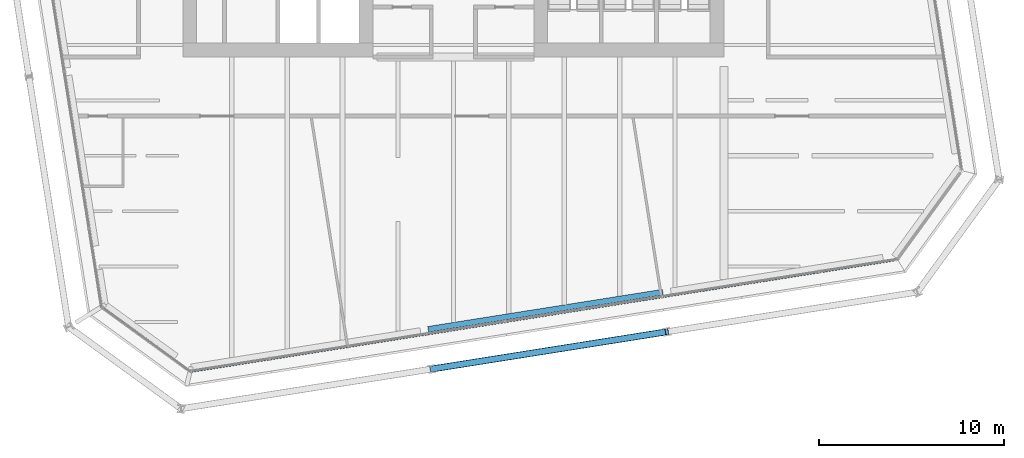
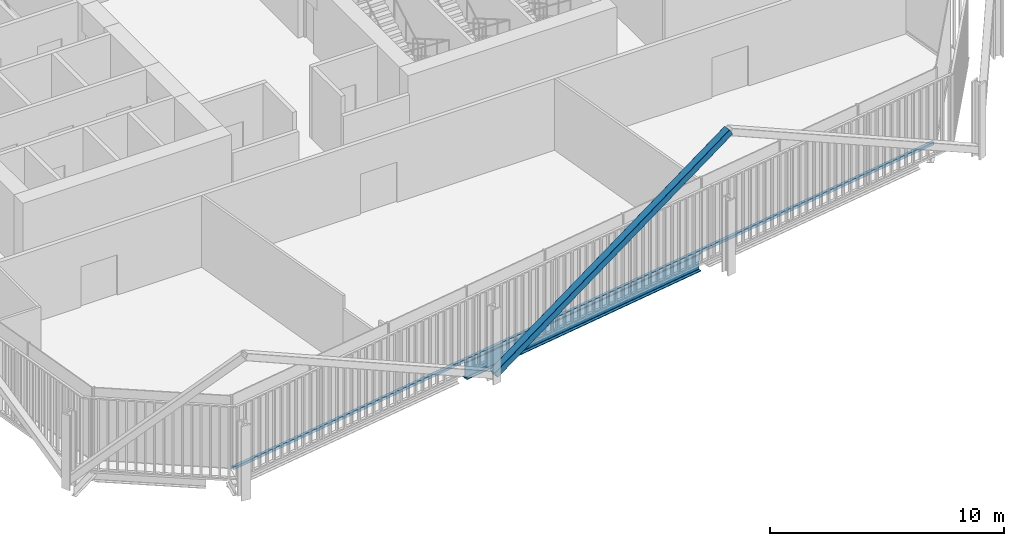
# One storey, part 5 of 19: 2 members, 1 beam, 1 element without a shape of its own.
"""IFC4 building model written with IfcOpenShell, lengths in metres."""

from ifc_helpers import new_model, si_unit, direction, frame, origin, origin_2d, place, context, subcontext, project, spatial, rectangle, hollow_rectangle, i_section, extrude, material, layer, layer_set, material_profile, profile_set, type_object, element, aggregate, save


model = new_model("IFC4")

# Units and contexts
model_context = context("Model", 3, precision=1e-05, world=origin(), true_north=direction((0.0, 1.0)))
body_context = subcontext(model_context, "Body", "Model", "MODEL_VIEW")
ifc_project = project(units=[si_unit("LENGTHUNIT", "METRE"), si_unit("AREAUNIT", "SQUARE_METRE"), si_unit("VOLUMEUNIT", "CUBIC_METRE"), si_unit("PLANEANGLEUNIT", "RADIAN"), si_unit("MASSUNIT", "GRAM", prefix="KILO")], contexts=[model_context])

# Site, building, storey
site_placement = place(None, origin())
site = spatial("IfcSite", under=ifc_project, at=site_placement, CompositionType="ELEMENT")
building_placement = place(site_placement, origin())
building = spatial("IfcBuilding", under=site, at=building_placement, Name="Millrace Tower", CompositionType="ELEMENT")
storey_placement = place(building_placement, frame((0.0, 0.0, 129.5)))
storey = spatial("IfcBuildingStorey", under=building, at=storey_placement, Name="L28", CompositionType="ELEMENT", Elevation=129.5)

# Curtain wall, member
ifc_material_1 = material(Name="Aluminium and glass", Category="aluminium")
ifc_layer = layer(ifc_material_1, 0.14990234375)
ifc_layer_set = layer_set([ifc_layer], Name="Aluminium and glass")
curtain_wall_type = type_object("IfcCurtainWallType", Name="CW-1 office vision curtain wall", PredefinedType="NOTDEFINED", material=ifc_layer_set)
curtain_wall_placement = place(storey_placement, origin())
curtain_wall = element("IfcCurtainWall", 1, at=curtain_wall_placement, inside=storey, type_object=curtain_wall_type, Name="Curtain wall C-F02 L28", PredefinedType="NOTDEFINED")
ifc_material_2 = material(Name="Aluminium", Category="aluminium")
ifc_material_profile_1 = material_profile(ifc_material_2, rectangle(XDim=0.14990234375, YDim=0.139892578125, at=origin_2d()))
ifc_profile_set_1 = profile_set([ifc_material_profile_1], Name="Aluminium")
member_type_1 = type_object("IfcMemberType", Name="CW-1 office vision curtain wall transom", PredefinedType="USERDEFINED", material=ifc_profile_set_1)
member_1_placement = place(storey_placement, frame((-14.125, -26.64599609375, 0.070068359375), z_axis=(0.987688350509, 0.156434402447, 0.0), x_axis=(-0.156434402447, 0.987688350509, 0.0)))
member_1 = element("IfcMember", 2, at=member_1_placement, type_object=member_type_1, Name="CW1 transom C-F02.1", ObjectType="TRANSOM", PredefinedType="USERDEFINED", context=body_context, shape_type="SweptSolid", body=[
    extrude(rectangle(XDim=0.14990234375, YDim=0.139892578125, at=origin_2d()), origin(), (0.0, 0.0, 1.0), 38.499755859375),
])
aggregate(curtain_wall, [member_1])

# Member
ifc_material_3 = material(Name="Steel ASTM A500 Grade C", Category="steel")
ifc_material_profile_2 = material_profile(ifc_material_3, hollow_rectangle(XDim=0.355712890625, YDim=0.355712890625, WallThickness=0.015869140625, InnerFilletRadius=0.008056640625, OuterFilletRadius=0.02392578125, at=origin_2d()))
ifc_profile_set_2 = profile_set([ifc_material_profile_2], Name="Steel ASTM A500 Grade C")
member_type_2 = type_object("IfcMemberType", Name="Exoskeleton brace HSS14x14x5/8", PredefinedType="BRACE", material=ifc_profile_set_2)
member_2_placement = place(storey_placement, frame((-1.181396484375, -26.545166015625, 0.39990234375), z_axis=(0.868109818913, 0.137501595477, 0.476947223022), x_axis=(-0.156441687909, 0.987687196578, 0.0)))
element("IfcMember", 3, at=member_2_placement, inside=storey, type_object=member_type_2, Name="BRC-C-L28-03", PredefinedType="BRACE", context=body_context, shape_type="SweptSolid", body=[
    extrude(hollow_rectangle(XDim=0.355712890625, YDim=0.355712890625, WallThickness=0.015869140625, InnerFilletRadius=0.008056640625, OuterFilletRadius=0.02392578125, at=origin_2d()), origin(), (0.0, 0.0, 1.0), 14.6767578125),
])

# Beam
ifc_material_4 = material(Name="Steel ASTM A992 Grade 50", Category="steel")
ifc_material_profile_3 = material_profile(ifc_material_4, i_section(OverallWidth=0.307373046875, OverallDepth=0.927001953125, WebThickness=0.01953125, FlangeThickness=0.031982421875, FilletRadius=0.01904296875, at=origin_2d()))
ifc_profile_set_3 = profile_set([ifc_material_profile_3], Name="Steel ASTM A992 Grade 50")
beam_type = type_object("IfcBeamType", Name="Ring beam medium span W36x194", PredefinedType="SPANDREL", material=ifc_profile_set_3)
beam_placement = place(storey_placement, frame((11.33740234375, -22.3818359375, -0.62353515625), z_axis=(-0.987688541437, -0.156433196972, 0.0), x_axis=(0.156433196972, -0.987688541437, 0.0)))
element("IfcBeam", 4, at=beam_placement, inside=storey, type_object=beam_type, Name="RNG-C-L28-S1-14", PredefinedType="SPANDREL", context=body_context, shape_type="SweptSolid", body=[
    extrude(i_section(OverallWidth=0.307373046875, OverallDepth=0.927001953125, WebThickness=0.01953125, FlangeThickness=0.031982421875, FilletRadius=0.01904296875, at=origin_2d()), origin(), (0.0, 0.0, 1.0), 12.8662109375),
])

save(model, "model.ifc")
